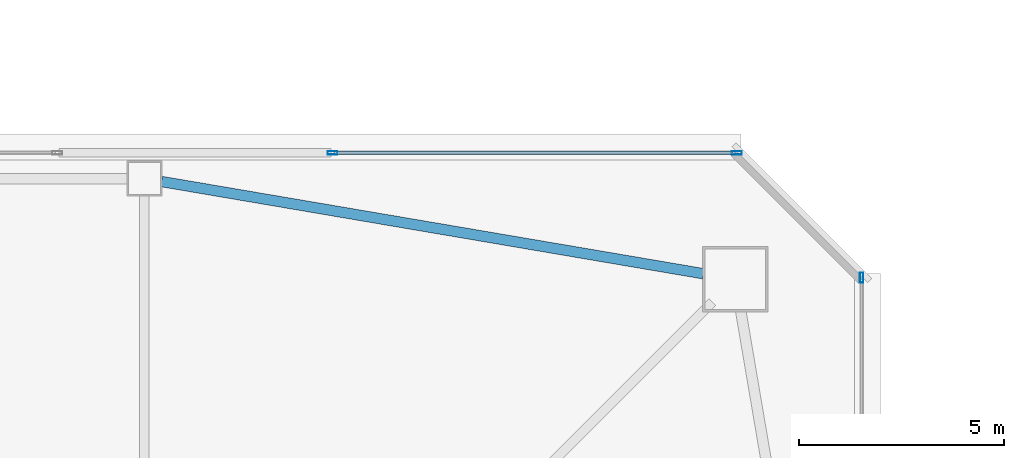
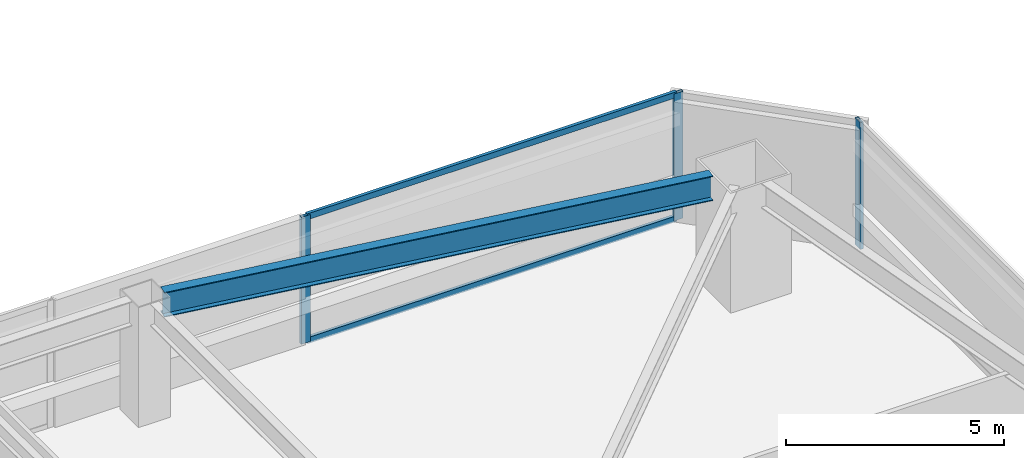
# One storey, part 15 of 45: 5 members, 1 beam, 2 elements without a shape of their own.
"""IFC4 building model written with IfcOpenShell, lengths in metres."""

from ifc_helpers import new_model, si_unit, direction, frame, origin, origin_2d, place, context, subcontext, project, spatial, hollow_rectangle, i_section, extrude, material, material_profile, profile_set, type_object, element, aggregate, save


model = new_model("IFC4")

# Units and contexts
model_context = context("Model", 3, precision=1e-05, world=origin(), true_north=direction((0.0, 1.0)))
body_context = subcontext(model_context, "Body", "Model", "MODEL_VIEW")
ifc_project = project(units=[si_unit("LENGTHUNIT", "METRE"), si_unit("AREAUNIT", "SQUARE_METRE"), si_unit("VOLUMEUNIT", "CUBIC_METRE"), si_unit("PLANEANGLEUNIT", "RADIAN"), si_unit("MASSUNIT", "GRAM", prefix="KILO")], contexts=[model_context])

# Site, building, storey
site_placement = place(None, origin())
site = spatial("IfcSite", under=ifc_project, at=site_placement, CompositionType="ELEMENT")
building_placement = place(site_placement, origin())
building = spatial("IfcBuilding", under=site, at=building_placement, Name="Tashvorn Skyway Center", CompositionType="ELEMENT")
storey_placement = place(building_placement, frame((0.0, 0.0, 35.25)))
storey = spatial("IfcBuildingStorey", under=building, at=storey_placement, Name="L08", CompositionType="ELEMENT", Elevation=35.25)

# Beam
ifc_material_1 = material(Name="Steel ASTM A992 Grade 50", Category="steel")
ifc_material_profile_1 = material_profile(ifc_material_1, i_section(OverallWidth=0.256103515625, OverallDepth=0.693115234375, WebThickness=0.014404296875, FlangeThickness=0.023681640625, at=origin_2d()), Name="W27X114")
ifc_profile_set_1 = profile_set([ifc_material_profile_1], Name="Steel ASTM A992 Grade 50")
beam_type = type_object("IfcBeamType", Name="BM-SPANDREL-W27X114", PredefinedType="SPANDREL", material=ifc_profile_set_1)
beam_placement = place(storey_placement, frame((61.016357421875, 51.933349609375, 3.00341796875), z_axis=(-0.985835025551, 0.16771792509, 0.0), x_axis=(-0.16771792509, -0.985835025551, 0.0)))
element("IfcBeam", 1, at=beam_placement, inside=storey, type_object=beam_type, Name="Tower 1 L08 Spandrel Beam 07", PredefinedType="SPANDREL", context=body_context, shape_type="SweptSolid", body=[
    extrude(i_section(OverallWidth=0.256103515625, OverallDepth=0.693115234375, WebThickness=0.014404296875, FlangeThickness=0.023681640625, at=origin_2d()), origin(), (0.0, 0.0, 1.0), 13.39208984375),
])

# Curtain wall, members
ifc_material_2 = material(Name="Thermally broken bronze-anodized aluminium 6063-T6", Category="aluminium")
curtain_wall_type = type_object("IfcCurtainWallType", Name="CW-CW-Z1", PredefinedType="NOTDEFINED", material=ifc_material_2)
curtain_wall_1_placement = place(storey_placement, origin())
curtain_wall_1 = element("IfcCurtainWall", 2, at=curtain_wall_1_placement, inside=storey, type_object=curtain_wall_type, Name="Tower 1 L08 North Unitised Curtain Wall Glazing Group 3", PredefinedType="NOTDEFINED")
ifc_material_profile_2 = material_profile(ifc_material_2, hollow_rectangle(XDim=0.0849609375, YDim=0.239990234375, WallThickness=0.0048828125, at=origin_2d()), Name="ALU-MULL-85x240")
ifc_profile_set_2 = profile_set([ifc_material_profile_2], Name="Thermally broken bronze-anodized aluminium 6063-T6")
member_type_1 = type_object("IfcMemberType", Name="CWM-CW-Z1", PredefinedType="MULLION", material=ifc_profile_set_2)
member_1_placement = place(storey_placement, frame((51.982421875, 54.8798828125, 0.0), z_axis=(0.0, 0.0, 1.0), x_axis=(0.0, 1.0, 0.0)))
member_1 = element("IfcMember", 3, at=member_1_placement, type_object=member_type_1, Name="CW-Z1 mullion 1", PredefinedType="MULLION", context=body_context, shape_type="SweptSolid", body=[
    extrude(hollow_rectangle(XDim=0.0849609375, YDim=0.239990234375, WallThickness=0.0048828125, at=origin_2d()), origin(), (0.0, 0.0, 1.0), 3.550048828125),
])
member_2_placement = place(storey_placement, frame((61.83740234375, 54.8798828125, 0.0), z_axis=(0.0, 0.0, 1.0), x_axis=(0.0, 1.0, 0.0)))
member_2 = element("IfcMember", 4, at=member_2_placement, type_object=member_type_1, Name="CW-Z1 mullion 2", PredefinedType="MULLION", context=body_context, shape_type="SweptSolid", body=[
    extrude(hollow_rectangle(XDim=0.0849609375, YDim=0.239990234375, WallThickness=0.0048828125, at=origin_2d()), origin(), (0.0, 0.0, 1.0), 3.550048828125),
])

# Curtain wall, member
curtain_wall_2_placement = place(storey_placement, origin())
curtain_wall_2 = element("IfcCurtainWall", 5, at=curtain_wall_2_placement, inside=storey, type_object=curtain_wall_type, Name="Tower 1 L08 East Unitised Curtain Wall Glazing Group 1", PredefinedType="NOTDEFINED")
member_3_placement = place(storey_placement, frame((64.8798828125, 51.83740234375, 0.0), z_axis=(0.0, 0.0, 1.0), x_axis=(1.0, 0.0, 0.0)))
member_3 = element("IfcMember", 6, at=member_3_placement, type_object=member_type_1, Name="CW-Z1 mullion 1", PredefinedType="MULLION", context=body_context, shape_type="SweptSolid", body=[
    extrude(hollow_rectangle(XDim=0.0849609375, YDim=0.239990234375, WallThickness=0.0048828125, at=origin_2d()), origin(), (0.0, 0.0, 1.0), 3.550048828125),
])
aggregate(curtain_wall_2, [member_3])

# Member
ifc_material_profile_3 = material_profile(ifc_material_2, hollow_rectangle(XDim=0.0849609375, YDim=0.1650390625, WallThickness=0.0048828125, at=origin_2d()), Name="ALU-TRAN-85x165")
ifc_profile_set_3 = profile_set([ifc_material_profile_3], Name="Thermally broken bronze-anodized aluminium 6063-T6")
member_type_2 = type_object("IfcMemberType", Name="CWT-CW-Z1", PredefinedType="USERDEFINED", material=ifc_profile_set_3)
member_4_placement = place(storey_placement, frame((52.02490234375, 54.8798828125, 0.04248046875), z_axis=(1.0, 0.0, 0.0), x_axis=(0.0, 1.0, 0.0)))
member_4 = element("IfcMember", 7, at=member_4_placement, type_object=member_type_2, Name="CW-Z1 transom 1.1", ObjectType="TRANSOM", PredefinedType="USERDEFINED", context=body_context, shape_type="SweptSolid", body=[
    extrude(hollow_rectangle(XDim=0.0849609375, YDim=0.1650390625, WallThickness=0.0048828125, at=origin_2d()), origin(), (0.0, 0.0, 1.0), 9.77001953125),
])

member_5_placement = place(storey_placement, frame((52.02490234375, 54.8798828125, 3.507568359375), z_axis=(1.0, 0.0, 0.0), x_axis=(0.0, 1.0, 0.0)))
member_5 = element("IfcMember", 8, at=member_5_placement, type_object=member_type_2, Name="CW-Z1 transom 1.2", ObjectType="TRANSOM", PredefinedType="USERDEFINED", context=body_context, shape_type="SweptSolid", body=[
    extrude(hollow_rectangle(XDim=0.0849609375, YDim=0.1650390625, WallThickness=0.0048828125, at=origin_2d()), origin(), (0.0, 0.0, 1.0), 9.77001953125),
])

aggregate(curtain_wall_1, [member_1, member_2, member_4, member_5])

save(model, "model.ifc")
